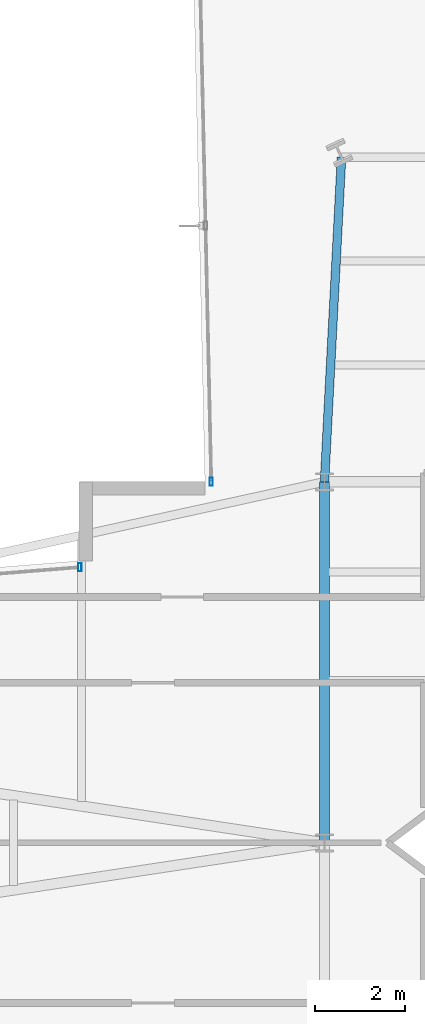
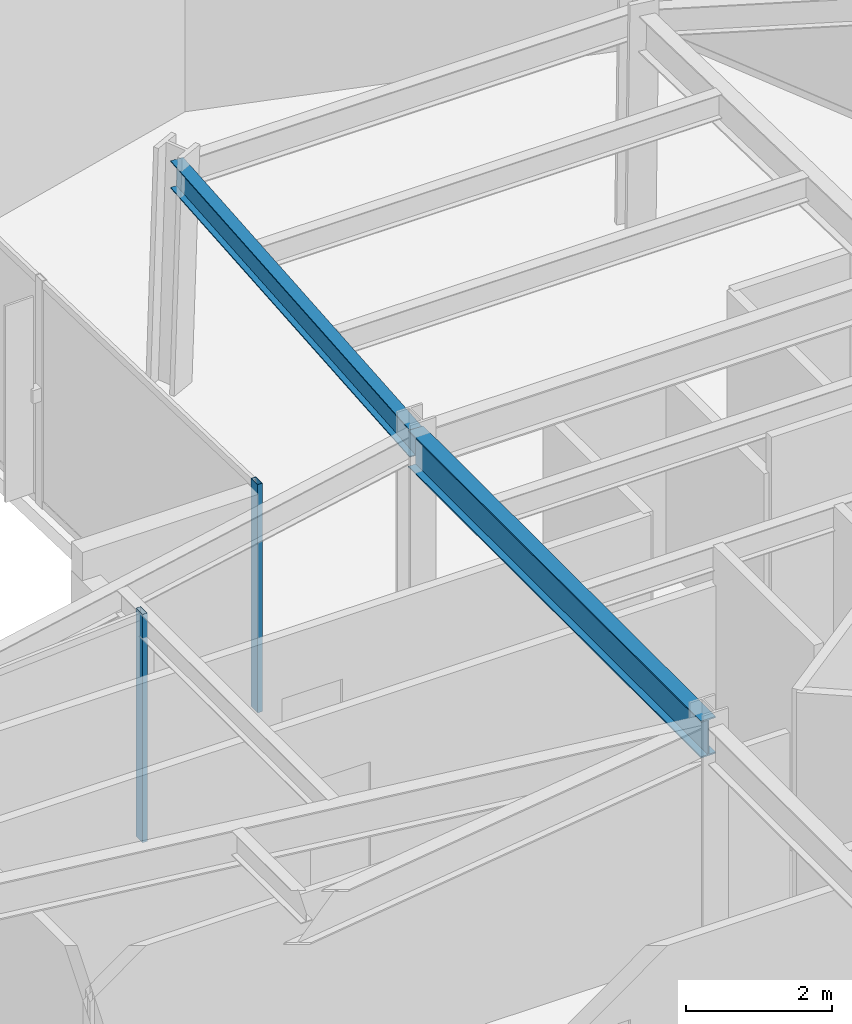
# One storey, part 9 of 26: 2 beams, 2 members, 2 elements without a shape of their own.
"""IFC4 building model written with IfcOpenShell, lengths in metres."""

from ifc_helpers import new_model, si_unit, direction, frame, origin, origin_2d, place, context, subcontext, project, spatial, hollow_rectangle, i_section, extrude, material, layer, layer_set, material_profile, profile_set, type_object, element, aggregate, save


model = new_model("IFC4")

# Units and contexts
model_context = context("Model", 3, precision=1e-05, world=origin(), true_north=direction((0.0, 1.0)))
body_context = subcontext(model_context, "Body", "Model", "MODEL_VIEW")
ifc_project = project(units=[si_unit("LENGTHUNIT", "METRE"), si_unit("AREAUNIT", "SQUARE_METRE"), si_unit("VOLUMEUNIT", "CUBIC_METRE"), si_unit("PLANEANGLEUNIT", "RADIAN"), si_unit("MASSUNIT", "GRAM", prefix="KILO")], contexts=[model_context])

# Site, building, storey
site_placement = place(None, origin())
site = spatial("IfcSite", under=ifc_project, at=site_placement, CompositionType="ELEMENT")
building_placement = place(site_placement, origin())
building = spatial("IfcBuilding", under=site, at=building_placement, Name="Veymaron Broadcast Tower", CompositionType="ELEMENT")
storey_placement = place(building_placement, frame((0.0, 0.0, 90.449951171875)))
storey = spatial("IfcBuildingStorey", under=building, at=storey_placement, Name="L20", CompositionType="ELEMENT", Elevation=90.449951171875)

# Beams
ifc_material_1 = material(Name="Structural steel ASTM A992 Gr 50", Category="steel")
ifc_material_profile_1 = material_profile(ifc_material_1, i_section(OverallWidth=0.22998046875, OverallDepth=0.616943359375, WebThickness=0.01318359375, FlangeThickness=0.022216796875, at=origin_2d()), Name="W610X140")
ifc_profile_set_1 = profile_set([ifc_material_profile_1], Name="Structural steel ASTM A992 Gr 50")
beam_type_1 = type_object("IfcBeamType", Name="BM-FG1", PredefinedType="BEAM", material=ifc_profile_set_1)
beam_1_placement = place(storey_placement, frame((31.199951171875, 24.0, 3.50146484375), z_axis=(0.0, 1.0, 0.0), x_axis=(-1.0, 0.0, 0.0)))
element("IfcBeam", 1, at=beam_1_placement, inside=storey, type_object=beam_type_1, Name="L20 primary structural floor girder", PredefinedType="BEAM", context=body_context, shape_type="SweptSolid", body=[
    extrude(i_section(OverallWidth=0.22998046875, OverallDepth=0.616943359375, WebThickness=0.01318359375, FlangeThickness=0.022216796875, at=origin_2d()), origin(), (0.0, 0.0, 1.0), 8.0),
])
ifc_material_profile_2 = material_profile(ifc_material_1, i_section(OverallWidth=0.19091796875, OverallDepth=0.4599609375, WebThickness=0.010009765625, FlangeThickness=0.01611328125, at=origin_2d()), Name="W460X82")
ifc_profile_set_2 = profile_set([ifc_material_profile_2], Name="Structural steel ASTM A992 Gr 50")
beam_type_2 = type_object("IfcBeamType", Name="BM-SP1", PredefinedType="SPANDREL", material=ifc_profile_set_2)
beam_2_placement = place(storey_placement, frame((31.199951171875, 32.0, 3.580078125), z_axis=(0.052491202254, 0.998621386555, 0.0), x_axis=(-0.998621386555, 0.052491202254, 0.0)))
element("IfcBeam", 2, at=beam_2_placement, inside=storey, type_object=beam_type_2, Name="L20 primary structural floor girder", PredefinedType="SPANDREL", context=body_context, shape_type="SweptSolid", body=[
    extrude(i_section(OverallWidth=0.19091796875, OverallDepth=0.4599609375, WebThickness=0.010009765625, FlangeThickness=0.01611328125, at=origin_2d()), origin(), (0.0, 0.0, 1.0), 7.199951171875),
])

# Curtain wall, member
ifc_material_2 = material(Name="Anodised aluminium AA 6063-T6 and laminated low-E dark glass", Category="aluminium")
ifc_layer = layer(ifc_material_2, 0.179931640625)
ifc_layer_set = layer_set([ifc_layer], Name="Anodised aluminium AA 6063-T6 and laminated low-E dark glass")
curtain_wall_type = type_object("IfcCurtainWallType", Name="CW-SYS-02", PredefinedType="NOTDEFINED", material=ifc_layer_set)
curtain_wall_1_placement = place(storey_placement, origin())
curtain_wall_1 = element("IfcCurtainWall", 3, at=curtain_wall_1_placement, inside=storey, type_object=curtain_wall_type, Name="L20 dark-glass curtain wall CW-L20-E9-1", PredefinedType="NOTDEFINED")
ifc_material_3 = material(Name="Anodised aluminium AA 6063-T6", Category="aluminium")
ifc_material_profile_3 = material_profile(ifc_material_3, hollow_rectangle(XDim=0.074951171875, YDim=0.179931640625, WallThickness=0.0048828125, at=origin_2d()), Name="AL180X75X5")
ifc_profile_set_3 = profile_set([ifc_material_profile_3], Name="Anodised aluminium AA 6063-T6")
member_type = type_object("IfcMemberType", Name="CW-MUL-02", PredefinedType="MULLION", material=ifc_profile_set_3)
member_1_placement = place(storey_placement, frame((28.690185546875, 32.003173828125, 0.0), z_axis=(0.0, 0.0, 1.0), x_axis=(1.0, 0.0, 0.0)))
member_1 = element("IfcMember", 4, at=member_1_placement, type_object=member_type, Name="CW-L20-E9-1 mullion 2", PredefinedType="MULLION", context=body_context, shape_type="SweptSolid", body=[
    extrude(hollow_rectangle(XDim=0.074951171875, YDim=0.179931640625, WallThickness=0.0048828125, at=origin_2d()), origin(), (0.0, 0.0, 1.0), 3.81005859375),
])
aggregate(curtain_wall_1, [member_1])

curtain_wall_2_placement = place(storey_placement, origin())
curtain_wall_2 = element("IfcCurtainWall", 5, at=curtain_wall_2_placement, inside=storey, type_object=curtain_wall_type, Name="L20 dark-glass curtain wall CW-L20-E12-1", PredefinedType="NOTDEFINED")
member_2_placement = place(storey_placement, frame((25.779052734375, 30.109130859375, 0.0), z_axis=(0.0, 0.0, 1.0), x_axis=(1.0, 0.0, 0.0)))
member_2 = element("IfcMember", 6, at=member_2_placement, type_object=member_type, Name="CW-L20-E12-1 mullion 0", PredefinedType="MULLION", context=body_context, shape_type="SweptSolid", body=[
    extrude(hollow_rectangle(XDim=0.074951171875, YDim=0.179931640625, WallThickness=0.0048828125, at=origin_2d()), origin(), (0.0, 0.0, 1.0), 3.81005859375),
])
aggregate(curtain_wall_2, [member_2])

save(model, "model.ifc")
